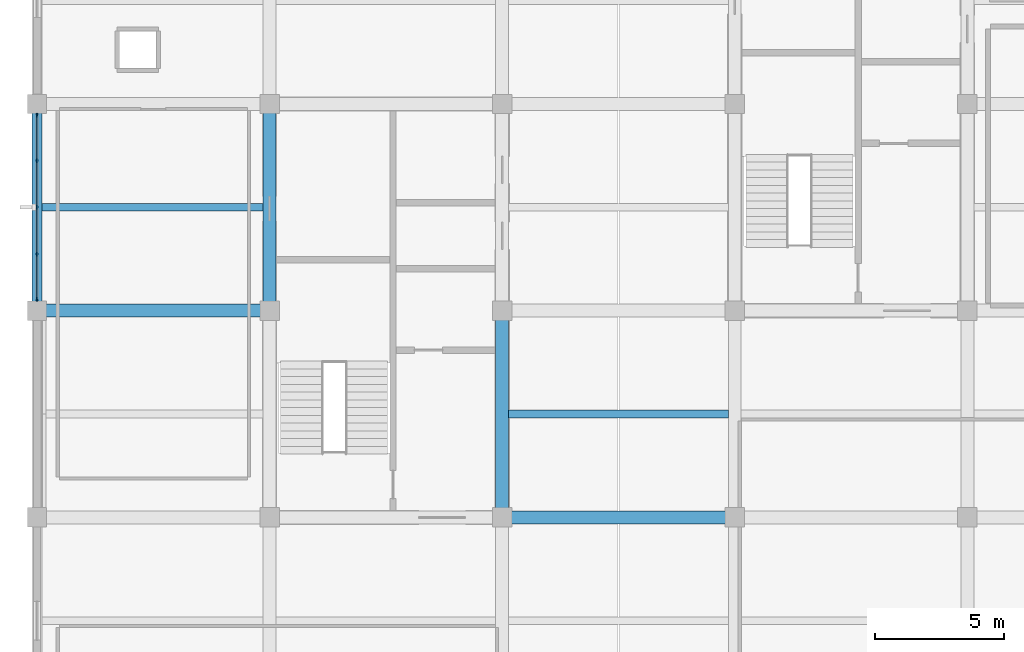
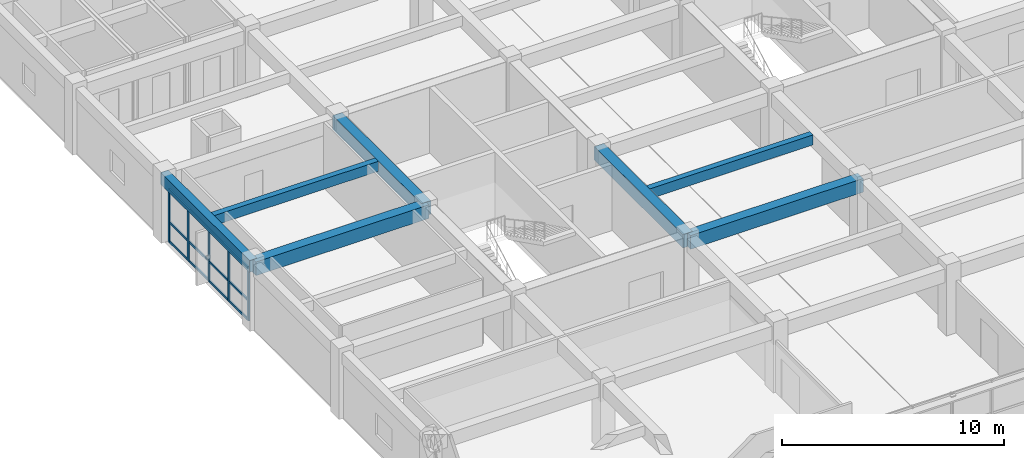
# One storey, part 4 of 15: 8 members, 7 beams, 1 element without a shape of its own.
"""IFC4 building model written with IfcOpenShell, lengths in metres."""

import ifcopenshell
import ifcopenshell.guid

model = None  # the IFC model being written
_history = None  # IfcOwnerHistory: only IFC2X3 demands one
_inside = {}  # id of a spatial element -> (the spatial element, [elements in it])
_under = {}  # id of a project, library or spatial element -> (it, [spatial elements below it])
_declared = {}  # id of a project -> (the project, [libraries it declares])
_typed = {}  # id of a type object -> (the type object, [elements of that type])
_made_of = {}  # id of a material, layer set ... -> (it, [elements and type objects made of it])


def new_model(schema):
    """Start an empty IFC model of exactly this schema.

    Asked for "IFC4X3", IfcOpenShell would pick the latest addendum, in which some entities
    have other attributes; the version numbers below select the first issue.
    IFC2X3 requires an IfcOwnerHistory on every rooted entity: one is made here for all.
    """
    global model, _history
    if schema == "IFC4X3":
        model = ifcopenshell.file(schema_version=(4, 3, 0, 0))
    else:
        model = ifcopenshell.file(schema=schema)
    _inside.clear()
    _under.clear()
    _declared.clear()
    _typed.clear()
    _made_of.clear()
    _history = None
    if model.schema == "IFC2X3":
        org = make("IfcOrganization", Name="unknown")
        user = make(
            "IfcPersonAndOrganization",
            ThePerson=make("IfcPerson", FamilyName="unknown"),
            TheOrganization=org,
        )
        app = make(
            "IfcApplication",
            ApplicationDeveloper=org,
            Version="unknown",
            ApplicationFullName="unknown",
            ApplicationIdentifier="unknown",
        )
        _history = make(
            "IfcOwnerHistory",
            OwningUser=user,
            OwningApplication=app,
            ChangeAction="ADDED",
            CreationDate=0,
        )
    return model


def make(cls, **values):
    """One entity of the class cls with the attributes given. An attribute that is None is left unset."""
    return model.create_entity(
        cls, **{name: value for name, value in values.items() if value is not None}
    )


def rooted(cls, **values):
    """An entity with a GlobalId (a new one), such as an element, a storey or a relation."""
    return make(cls, GlobalId=ifcopenshell.guid.new(), OwnerHistory=_history, **values)


def si_unit(unit_type, name, prefix=None):
    """IfcSIUnit, for example si_unit("LENGTHUNIT", "METRE", prefix="MILLI")."""
    return make("IfcSIUnit", UnitType=unit_type, Prefix=prefix, Name=name)


def assignment(units):
    """IfcUnitAssignment: the units of a project."""
    return None if units is None else make("IfcUnitAssignment", Units=units)


def point(xyz):
    """IfcCartesianPoint."""
    return None if xyz is None else make("IfcCartesianPoint", Coordinates=xyz)


def direction(xyz):
    """IfcDirection."""
    return None if xyz is None else make("IfcDirection", DirectionRatios=xyz)


def frame(location, z_axis=None, x_axis=None):
    """IfcAxis2Placement3D, a coordinate frame: its origin and axes. An axis left out is left unset."""
    return make(
        "IfcAxis2Placement3D",
        Location=point(location),
        Axis=direction(z_axis),
        RefDirection=direction(x_axis),
    )


def frame_2d(location, x_axis=None):
    """IfcAxis2Placement2D, a coordinate frame in the plane: its origin and x axis."""
    return make(
        "IfcAxis2Placement2D", Location=point(location), RefDirection=direction(x_axis)
    )


def origin():
    """The frame at (0, 0, 0) with its axes left unset."""
    return frame((0.0, 0.0, 0.0))


def origin_2d():
    """The frame at (0, 0) in the plane with its x axis left unset."""
    return frame_2d((0.0, 0.0))


def place(relative_to, where):
    """IfcLocalPlacement: puts the frame where relative to a parent placement (None: the world)."""
    return make(
        "IfcLocalPlacement", PlacementRelTo=relative_to, RelativePlacement=where
    )


def context(
    kind, dimensions, precision=None, world=None, true_north=None, identifier=None
):
    """IfcGeometricRepresentationContext, for example the 3D "Model" context."""
    return make(
        "IfcGeometricRepresentationContext",
        ContextIdentifier=identifier,
        ContextType=kind,
        CoordinateSpaceDimension=dimensions,
        Precision=precision,
        WorldCoordinateSystem=world,
        TrueNorth=true_north,
    )


def subcontext(parent, identifier, kind, view, scale=None):
    """IfcGeometricRepresentationSubContext, for example "Body" below "Model"."""
    return make(
        "IfcGeometricRepresentationSubContext",
        ContextIdentifier=identifier,
        ContextType=kind,
        ParentContext=parent,
        TargetScale=scale,
        TargetView=view,
    )


def project(units=None, contexts=None):
    """IfcProject with its units and contexts."""
    return rooted(
        "IfcProject",
        Name="project",
        RepresentationContexts=contexts,
        UnitsInContext=assignment(units),
    )


def spatial(cls, under=None, at=None, **own):
    """A site, building, storey or space (cls), placed at a placement, below another one or the project."""
    s = rooted(cls, ObjectPlacement=at, **own)
    if under is not None:
        _under.setdefault(under.id(), (under, []))[1].append(s)
    return s


def profile(cls, at=None, kind="AREA", **sizes):
    """A parametric profile (cls). Its sizes go by their IFC names, for example OverallWidth=200.0."""
    return make(cls, ProfileType=kind, Position=at, **sizes)


def rectangle(**sizes):
    """IfcRectangleProfileDef."""
    return profile("IfcRectangleProfileDef", **sizes)


def extrude(swept, where, along, depth):
    """IfcExtrudedAreaSolid: the profile swept, set in the frame where, extruded along a direction by depth."""
    return make(
        "IfcExtrudedAreaSolid",
        SweptArea=swept,
        Position=where,
        ExtrudedDirection=direction(along),
        Depth=depth,
    )


def shape(context_of_items, identifier, shape_type, items):
    """IfcShapeRepresentation: the items that make up one representation, for example the "Body"."""
    return make(
        "IfcShapeRepresentation",
        ContextOfItems=context_of_items,
        RepresentationIdentifier=identifier,
        RepresentationType=shape_type,
        Items=items,
    )


def material(Name=None, Category=None):
    """IfcMaterial."""
    return make("IfcMaterial", Name=Name, Category=Category)


def material_profile(
    of_material, cross_section, Name=None, Category=None, Priority=None
):
    """IfcMaterialProfile: a cross section and its material."""
    return make(
        "IfcMaterialProfile",
        Name=Name,
        Material=of_material,
        Profile=cross_section,
        Priority=Priority,
        Category=Category,
    )


def profile_set(profiles, Name=None, composite=None):
    """IfcMaterialProfileSet."""
    return make(
        "IfcMaterialProfileSet",
        Name=Name,
        MaterialProfiles=profiles,
        CompositeProfile=composite,
    )


def made_of(thing, what):
    """Note that an element or type object is made of a material, layer set ...; save() writes the relation."""
    if what is not None:
        _made_of.setdefault(what.id(), (what, []))[1].append(thing)
    return thing


def type_object(cls, material=None, **own):
    """A type object (cls), such as IfcWallType, which elements share."""
    return made_of(rooted(cls, **own), material)


def element(
    cls,
    number,
    at=None,
    inside=None,
    cuts=None,
    type_object=None,
    material=None,
    context=None,
    identifier="Body",
    shape_type=None,
    held_by="IfcProductDefinitionShape",
    body=None,
    shapes=None,
    **own,
):
    """One element of the class cls, such as IfcWall. Its Tag is "e" and its number.

    at: its placement. inside: the storey or other place that contains it. cuts: it is an
    opening in that element (IfcRelVoidsElement). A single representation is given by context,
    identifier, shape_type and body (its items); several are given by shapes. held_by: the class
    of the entity that holds the representations. save() writes the other relations.
    """
    e = rooted(cls, Tag="e%d" % number, ObjectPlacement=at, **own)
    if body is not None:
        shapes = [shape(context, identifier, shape_type, body)]
    if shapes is not None:
        e.Representation = make(held_by, Representations=shapes)
    if inside is not None:
        _inside.setdefault(inside.id(), (inside, []))[1].append(e)
    if cuts is not None:
        rooted(
            "IfcRelVoidsElement", RelatingBuildingElement=cuts, RelatedOpeningElement=e
        )
    if type_object is not None:
        _typed.setdefault(type_object.id(), (type_object, []))[1].append(e)
    return made_of(e, material)


def aggregate(whole, parts):
    """IfcRelAggregates: a whole, such as a stair, and the parts it consists of."""
    return rooted("IfcRelAggregates", RelatingObject=whole, RelatedObjects=parts)


def save(model, path):
    """Write the relations noted so far, then the file.

    IfcRelAggregates (storeys below a building ...), IfcRelContainedInSpatialStructure (elements
    in a storey), IfcRelDefinesByType, IfcRelAssociatesMaterial and IfcRelDeclares: one each for
    every whole, place, type object, material and project.
    """
    for whole, parts in _under.values():
        aggregate(whole, parts)
    for where, things in _inside.values():
        rooted(
            "IfcRelContainedInSpatialStructure",
            RelatedElements=things,
            RelatingStructure=where,
        )
    for kind, things in _typed.values():
        rooted("IfcRelDefinesByType", RelatedObjects=things, RelatingType=kind)
    for what, things in _made_of.values():
        rooted("IfcRelAssociatesMaterial", RelatedObjects=things, RelatingMaterial=what)
    for by, libraries in _declared.values():
        rooted("IfcRelDeclares", RelatingContext=by, RelatedDefinitions=libraries)
    model.write(path)


model = new_model("IFC4")

# Units and contexts
model_context = context("Model", 3, precision=1e-05, world=origin(), true_north=direction((0.0, 1.0)))
body_context = subcontext(model_context, "Body", "Model", "MODEL_VIEW")
ifc_project = project(units=[si_unit("LENGTHUNIT", "METRE"), si_unit("AREAUNIT", "SQUARE_METRE"), si_unit("VOLUMEUNIT", "CUBIC_METRE"), si_unit("PLANEANGLEUNIT", "RADIAN"), si_unit("MASSUNIT", "GRAM", prefix="KILO")], contexts=[model_context])

# Site, building, storey
site_placement = place(None, origin())
site = spatial("IfcSite", under=ifc_project, at=site_placement, CompositionType="ELEMENT")
building_placement = place(site_placement, origin())
building = spatial("IfcBuilding", under=site, at=building_placement, Name="Zaverband Oceanarium and Marine Research Institute", CompositionType="ELEMENT")
storey_placement = place(building_placement, frame((0.0, 0.0, 49.199951171875)))
storey = spatial("IfcBuildingStorey", under=building, at=storey_placement, Name="L12", CompositionType="ELEMENT", Elevation=49.199951171875)

# Beams
ifc_material_1 = material(Name="Concrete C40/50", Category="concrete")
ifc_material_profile_1 = material_profile(ifc_material_1, rectangle(XDim=0.5, YDim=0.75, at=origin_2d()), Name="RC500x750")
ifc_profile_set_1 = profile_set([ifc_material_profile_1], Name="Concrete C40/50")
beam_type_1 = type_object("IfcBeamType", Name="BM-500x750", PredefinedType="BEAM", material=ifc_profile_set_1)
for number, where, z_axis, x_axis, name in (
    (1, (27.0, 80.0, 3.2451171875), (1.0, 0.0, 0.0), (0.0, 1.0, 0.0), "Primary floor girder BM-500x750"),
    (2, (9.0, 88.0, 3.2451171875), (1.0, 0.0, 0.0), (0.0, 1.0, 0.0), "Primary floor girder BM-500x750"),
):
    element("IfcBeam", number, at=place(storey_placement, frame(where, z_axis=z_axis, x_axis=x_axis)), inside=storey, type_object=beam_type_1, Name=name, PredefinedType="BEAM", context=body_context, shape_type="SweptSolid", body=[
        extrude(rectangle(XDim=0.5, YDim=0.75, at=origin_2d()), origin(), (0.0, 0.0, 1.0), 9.0),
    ])
for number, where, z_axis, x_axis, name in (
    (3, (18.0, 88.0, 3.2451171875), (0.0, 1.0, 0.0), (-1.0, 0.0, 0.0), "Primary floor girder BM-500x750"),
    (4, (27.0, 80.0, 3.2451171875), (0.0, 1.0, 0.0), (-1.0, 0.0, 0.0), "Primary floor girder BM-500x750"),
):
    element("IfcBeam", number, at=place(storey_placement, frame(where, z_axis=z_axis, x_axis=x_axis)), inside=storey, type_object=beam_type_1, Name=name, PredefinedType="BEAM", context=body_context, shape_type="SweptSolid", body=[
        extrude(rectangle(XDim=0.5, YDim=0.75, at=origin_2d()), origin(), (0.0, 0.0, 1.0), 8.0),
    ])
ifc_material_profile_2 = material_profile(ifc_material_1, rectangle(XDim=0.300048828125, YDim=0.550048828125, at=origin_2d()), Name="RC300x550")
ifc_profile_set_2 = profile_set([ifc_material_profile_2], Name="Concrete C40/50")
beam_type_2 = type_object("IfcBeamType", Name="JST-300x550", PredefinedType="JOIST", material=ifc_profile_set_2)
beam_1_placement = place(storey_placement, frame((9.199951171875, 92.0, 3.344970703125), z_axis=(1.0, 0.0, 0.0), x_axis=(0.0, 1.0, 0.0)))
element("IfcBeam", 5, at=beam_1_placement, inside=storey, type_object=beam_type_2, Name="Secondary floor joist JST-300x550", PredefinedType="JOIST", context=body_context, shape_type="SweptSolid", body=[
    extrude(rectangle(XDim=0.300048828125, YDim=0.550048828125, at=origin_2d()), origin(), (0.0, 0.0, 1.0), 8.550048828125),
])
beam_2_placement = place(storey_placement, frame((27.25, 84.0, 3.344970703125), z_axis=(1.0, 0.0, 0.0), x_axis=(0.0, 1.0, 0.0)))
element("IfcBeam", 6, at=beam_2_placement, inside=storey, type_object=beam_type_2, Name="Secondary floor joist JST-300x550", PredefinedType="JOIST", context=body_context, shape_type="SweptSolid", body=[
    extrude(rectangle(XDim=0.300048828125, YDim=0.550048828125, at=origin_2d()), origin(), (0.0, 0.0, 1.0), 8.5),
])

# Curtain wall, members
ifc_material_2 = material(Name="Thermally broken anodized aluminium and solar-control glass", Category="aluminium")
curtain_wall_type = type_object("IfcCurtainWallType", Name="CW-UNIT-1800", PredefinedType="NOTDEFINED", material=ifc_material_2)
curtain_wall_placement = place(storey_placement, origin())
curtain_wall = element("IfcCurtainWall", 7, at=curtain_wall_placement, inside=storey, type_object=curtain_wall_type, Name="Unitised glazed curtain wall CW-137", PredefinedType="NOTDEFINED")
ifc_material_3 = material(Name="Thermally broken anodized aluminium", Category="aluminium")
ifc_material_profile_3 = material_profile(ifc_material_3, rectangle(XDim=0.070068359375, YDim=0.14990234375, at=origin_2d()), Name="AL-MUL-70x150")
ifc_profile_set_3 = profile_set([ifc_material_profile_3], Name="Thermally broken anodized aluminium")
member_type_1 = type_object("IfcMemberType", Name="MUL-70x150", PredefinedType="MULLION", material=ifc_profile_set_3)
member_1_placement = place(storey_placement, frame((9.0, 88.43994140625, 0.0), z_axis=(0.0, 0.0, 1.0), x_axis=(1.0, 0.0, 0.0)))
member_1 = element("IfcMember", 8, at=member_1_placement, type_object=member_type_1, Name="Curtain wall vertical mullion MUL-70x150", PredefinedType="MULLION", context=body_context, shape_type="SweptSolid", body=[
    extrude(rectangle(XDim=0.070068359375, YDim=0.14990234375, at=origin_2d()), origin(), (0.0, 0.0, 1.0), 2.949951171875),
])
member_2_placement = place(storey_placement, frame((9.0, 90.18994140625, 0.0), z_axis=(0.0, 0.0, 1.0), x_axis=(1.0, 0.0, 0.0)))
member_2 = element("IfcMember", 9, at=member_2_placement, type_object=member_type_1, Name="Curtain wall vertical mullion MUL-70x150", PredefinedType="MULLION", context=body_context, shape_type="SweptSolid", body=[
    extrude(rectangle(XDim=0.070068359375, YDim=0.14990234375, at=origin_2d()), origin(), (0.0, 0.0, 1.0), 2.949951171875),
])
member_3_placement = place(storey_placement, frame((9.0, 92.0, 0.0), z_axis=(0.0, 0.0, 1.0), x_axis=(1.0, 0.0, 0.0)))
member_3 = element("IfcMember", 10, at=member_3_placement, type_object=member_type_1, Name="Curtain wall vertical mullion MUL-70x150", PredefinedType="MULLION", context=body_context, shape_type="SweptSolid", body=[
    extrude(rectangle(XDim=0.070068359375, YDim=0.14990234375, at=origin_2d()), origin(), (0.0, 0.0, 1.0), 2.949951171875),
])
member_4_placement = place(storey_placement, frame((9.0, 93.81005859375, 0.0), z_axis=(0.0, 0.0, 1.0), x_axis=(1.0, 0.0, 0.0)))
member_4 = element("IfcMember", 11, at=member_4_placement, type_object=member_type_1, Name="Curtain wall vertical mullion MUL-70x150", PredefinedType="MULLION", context=body_context, shape_type="SweptSolid", body=[
    extrude(rectangle(XDim=0.070068359375, YDim=0.14990234375, at=origin_2d()), origin(), (0.0, 0.0, 1.0), 2.949951171875),
])
member_5_placement = place(storey_placement, frame((9.0, 95.56005859375, 0.0), z_axis=(0.0, 0.0, 1.0), x_axis=(1.0, 0.0, 0.0)))
member_5 = element("IfcMember", 12, at=member_5_placement, type_object=member_type_1, Name="Curtain wall vertical mullion MUL-70x150", PredefinedType="MULLION", context=body_context, shape_type="SweptSolid", body=[
    extrude(rectangle(XDim=0.070068359375, YDim=0.14990234375, at=origin_2d()), origin(), (0.0, 0.0, 1.0), 2.949951171875),
])

# Beam
ifc_material_profile_4 = material_profile(ifc_material_1, rectangle(XDim=0.39990234375, YDim=0.64990234375, at=origin_2d()), Name="RC400x650")
ifc_profile_set_4 = profile_set([ifc_material_profile_4], Name="Concrete C40/50")
beam_type_3 = type_object("IfcBeamType", Name="SPN-400x650", PredefinedType="SPANDREL", material=ifc_profile_set_4)
beam_3_placement = place(storey_placement, frame((9.0, 88.0, 3.295166015625), z_axis=(0.0, 1.0, 0.0), x_axis=(-1.0, 0.0, 0.0)))
element("IfcBeam", 13, at=beam_3_placement, inside=storey, type_object=beam_type_3, Name="Perimeter spandrel beam SPN-400x650", PredefinedType="SPANDREL", context=body_context, shape_type="SweptSolid", body=[
    extrude(rectangle(XDim=0.39990234375, YDim=0.64990234375, at=origin_2d()), origin(), (0.0, 0.0, 1.0), 8.0),
])

# Member
ifc_material_profile_5 = material_profile(ifc_material_3, rectangle(XDim=0.070068359375, YDim=0.114990234375, at=origin_2d()), Name="AL-TRN-70x115")
ifc_profile_set_5 = profile_set([ifc_material_profile_5], Name="Thermally broken anodized aluminium")
member_type_2 = type_object("IfcMemberType", Name="TRN-70x115", PredefinedType="USERDEFINED", material=ifc_profile_set_5)
member_6_placement = place(storey_placement, frame((9.0, 88.43994140625, 0.050048828125), z_axis=(0.0, 1.0, 0.0), x_axis=(-1.0, 0.0, 0.0)))
member_6 = element("IfcMember", 14, at=member_6_placement, type_object=member_type_2, Name="Curtain wall horizontal transom TRN-70x115", ObjectType="TRANSOM", PredefinedType="USERDEFINED", context=body_context, shape_type="SweptSolid", body=[
    extrude(rectangle(XDim=0.070068359375, YDim=0.114990234375, at=origin_2d()), origin(), (0.0, 0.0, 1.0), 7.1201171875),
])

member_7_placement = place(storey_placement, frame((9.0, 88.43994140625, 1.112060546875), z_axis=(0.0, 1.0, 0.0), x_axis=(-1.0, 0.0, 0.0)))
member_7 = element("IfcMember", 15, at=member_7_placement, type_object=member_type_2, Name="Curtain wall horizontal transom TRN-70x115", ObjectType="TRANSOM", PredefinedType="USERDEFINED", context=body_context, shape_type="SweptSolid", body=[
    extrude(rectangle(XDim=0.070068359375, YDim=0.114990234375, at=origin_2d()), origin(), (0.0, 0.0, 1.0), 7.1201171875),
])

member_8_placement = place(storey_placement, frame((9.0, 88.43994140625, 2.900146484375), z_axis=(0.0, 1.0, 0.0), x_axis=(-1.0, 0.0, 0.0)))
member_8 = element("IfcMember", 16, at=member_8_placement, type_object=member_type_2, Name="Curtain wall horizontal transom TRN-70x115", ObjectType="TRANSOM", PredefinedType="USERDEFINED", context=body_context, shape_type="SweptSolid", body=[
    extrude(rectangle(XDim=0.070068359375, YDim=0.114990234375, at=origin_2d()), origin(), (0.0, 0.0, 1.0), 7.1201171875),
])

aggregate(curtain_wall, [member_1, member_2, member_3, member_4, member_5, member_6, member_7, member_8])

save(model, "model.ifc")
